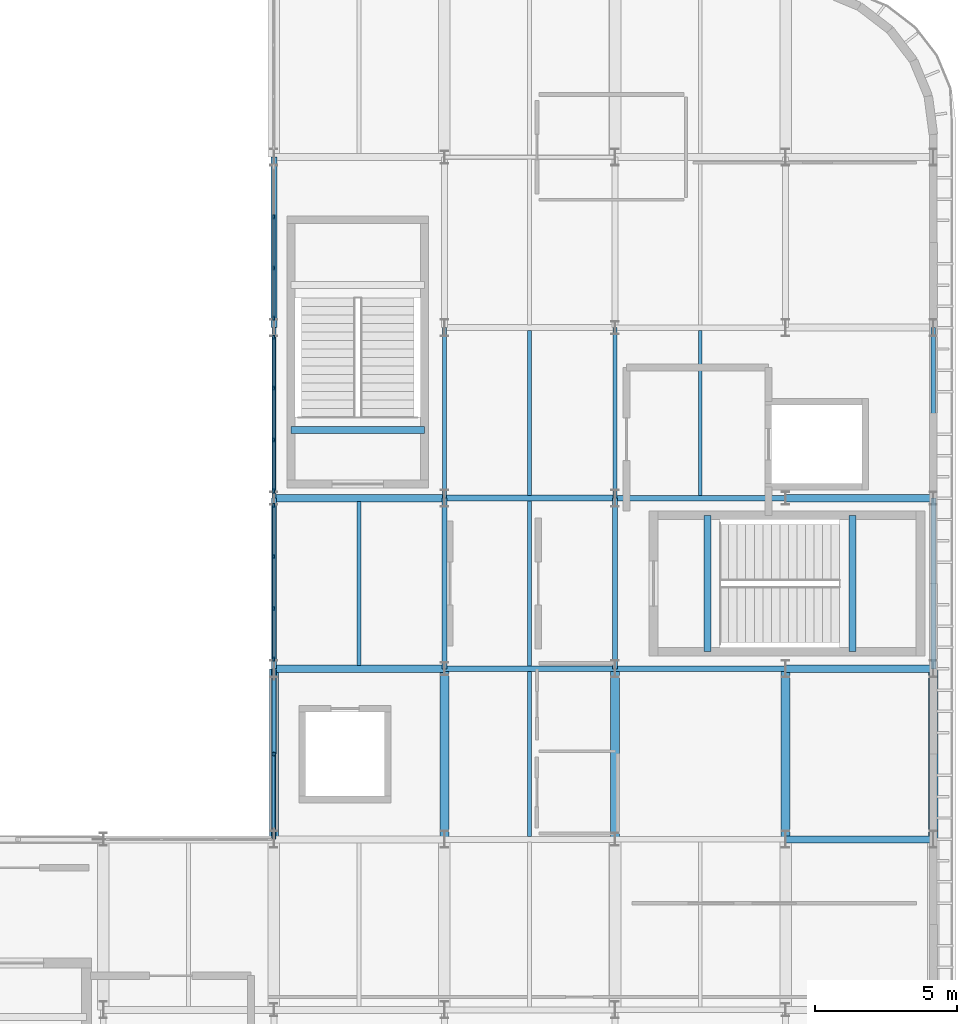
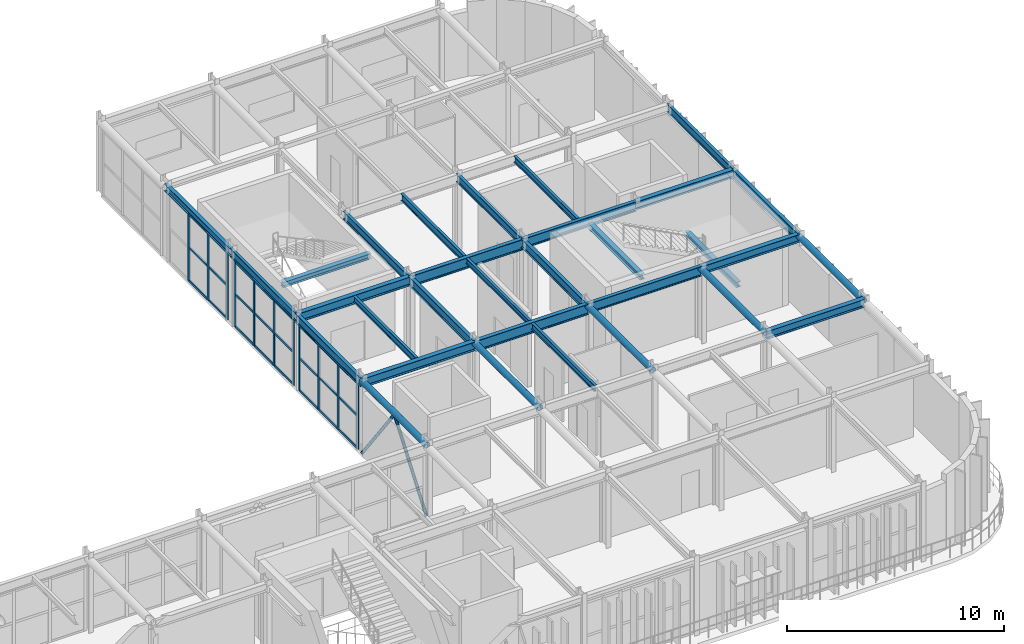
# One storey, part 52 of 96: 37 members, 31 beams, 3 elements without a shape of their own.
"""IFC4 building model written with IfcOpenShell, lengths in metres."""

from ifc_helpers import new_model, si_unit, direction, frame, origin, origin_2d, place, context, subcontext, project, spatial, rectangle, hollow_circle, i_section, extrude, material, material_profile, profile_set, type_object, element, aggregate, save


model = new_model("IFC4")

# Units and contexts
model_context = context("Model", 3, precision=1e-05, world=origin(), true_north=direction((0.0, 1.0)))
body_context = subcontext(model_context, "Body", "Model", "MODEL_VIEW")
ifc_project = project(units=[si_unit("LENGTHUNIT", "METRE"), si_unit("AREAUNIT", "SQUARE_METRE"), si_unit("VOLUMEUNIT", "CUBIC_METRE"), si_unit("PLANEANGLEUNIT", "RADIAN"), si_unit("MASSUNIT", "GRAM", prefix="KILO")], contexts=[model_context])

# Site, building, storey
site_placement = place(None, origin())
site = spatial("IfcSite", under=ifc_project, at=site_placement, CompositionType="ELEMENT")
building_placement = place(site_placement, origin())
building = spatial("IfcBuilding", under=site, at=building_placement, Name="Varnakota Square Police Headquarters", CompositionType="ELEMENT")
storey_placement = place(building_placement, frame((0.0, 0.0, 4.800048828125)))
storey = spatial("IfcBuildingStorey", under=building, at=storey_placement, Name="L01", CompositionType="ELEMENT", Elevation=4.800048828125)

# Beams
ifc_material_1 = material(Name="Steel IS 2062 Grade 350", Category="steel")
ifc_material_profile_1 = material_profile(ifc_material_1, hollow_circle(Radius=0.161865234375, WallThickness=0.0126953125, at=origin_2d()), Name="CHS 323.9x12.7")
ifc_profile_set_1 = profile_set([ifc_material_profile_1], Name="Steel IS 2062 Grade 350")
beam_type_1 = type_object("IfcBeamType", Name="BM-ARC-CHS324", PredefinedType="BEAM", material=ifc_profile_set_1)
for number, where, z_axis, x_axis, name in (
    (1, (138.0, 15.0, 4.0380859375), (0.0, 1.0, 0.0), (-1.0, 0.0, 0.0), "BMG-L01-1718"),
    (2, (144.0, 15.0, 4.0380859375), (0.0, 1.0, 0.0), (-1.0, 0.0, 0.0), "BMG-L01-1732"),
    (3, (150.0, 15.0, 4.0380859375), (0.0, 1.0, 0.0), (-1.0, 0.0, 0.0), "BMG-L01-1746"),
    (4, (156.0, 15.0, 4.0380859375), (0.0, 1.0, 0.0), (-1.0, 0.0, 0.0), "BMG-L01-1757"),
    (5, (161.199951171875, 15.0, 4.0380859375), (0.0, 1.0, 0.0), (-1.0, 0.0, 0.0), "BMG-L01-1768"),
):
    element("IfcBeam", number, at=place(storey_placement, frame(where, z_axis=z_axis, x_axis=x_axis)), inside=storey, type_object=beam_type_1, Name=name, PredefinedType="BEAM", context=body_context, shape_type="SweptSolid", body=[
        extrude(hollow_circle(Radius=0.161865234375, WallThickness=0.0126953125, at=origin_2d()), origin(), (0.0, 0.0, 1.0), 6.0),
    ])
ifc_material_profile_2 = material_profile(ifc_material_1, i_section(OverallWidth=0.25, OverallDepth=0.300048828125, WebThickness=0.009521484375, FlangeThickness=0.010498046875, FilletRadius=0.011962890625, at=origin_2d()), Name="ISHB 300")
ifc_profile_set_2 = profile_set([ifc_material_profile_2], Name="Steel IS 2062 Grade 350")
beam_type_2 = type_object("IfcBeamType", Name="BM-ISHB300", PredefinedType="BEAM", material=ifc_profile_set_2)
for number, where, z_axis, x_axis, name in (
    (6, (158.3505859375, 21.60009765625, 1.933837890625), (0.0, 1.0, 0.0), (-1.0, 0.0, 0.0), "Stair landing support beam BM-LND-0019"),
    (7, (153.25, 21.60009765625, 4.14990234375), (0.0, 1.0, 0.0), (-1.0, 0.0, 0.0), "Stair landing support beam BM-LND-0020"),
):
    element("IfcBeam", number, at=place(storey_placement, frame(where, z_axis=z_axis, x_axis=x_axis)), inside=storey, type_object=beam_type_2, Name=name, PredefinedType="BEAM", context=body_context, shape_type="SweptSolid", body=[
        extrude(i_section(OverallWidth=0.25, OverallDepth=0.300048828125, WebThickness=0.009521484375, FlangeThickness=0.010498046875, FilletRadius=0.011962890625, at=origin_2d()), origin(), (0.0, 0.0, 1.0), 4.7998046875),
    ])
beam_1_placement = place(storey_placement, frame((138.60009765625, 29.400146484375, 4.14990234375), z_axis=(1.0, 0.0, 0.0), x_axis=(0.0, 1.0, 0.0)))
element("IfcBeam", 8, at=beam_1_placement, inside=storey, type_object=beam_type_2, Name="Stair landing support beam BM-LND-0035", PredefinedType="BEAM", context=body_context, shape_type="SweptSolid", body=[
    extrude(i_section(OverallWidth=0.25, OverallDepth=0.300048828125, WebThickness=0.009521484375, FlangeThickness=0.010498046875, FilletRadius=0.011962890625, at=origin_2d()), origin(), (0.0, 0.0, 1.0), 4.699951171875),
])
ifc_material_profile_3 = material_profile(ifc_material_1, i_section(OverallWidth=0.25, OverallDepth=0.449951171875, WebThickness=0.01123046875, FlangeThickness=0.013671875, FilletRadius=0.014892578125, at=origin_2d()), Name="ISHB 450")
ifc_profile_set_3 = profile_set([ifc_material_profile_3], Name="Steel IS 2062 Grade 350")
beam_type_3 = type_object("IfcBeamType", Name="BM-ISHB450", PredefinedType="BEAM", material=ifc_profile_set_3)
for number, where, z_axis, x_axis, name in (
    (9, (156.0, 15.0, 3.974853515625), (1.0, 0.0, 0.0), (0.0, 1.0, 0.0), "BMG-L01-1354"),
    (10, (156.0, 21.0, 3.974853515625), (1.0, 0.0, 0.0), (0.0, 1.0, 0.0), "BMG-L01-1364"),
    (11, (156.0, 27.0, 3.974853515625), (1.0, 0.0, 0.0), (0.0, 1.0, 0.0), "BMG-L01-1374"),
):
    element("IfcBeam", number, at=place(storey_placement, frame(where, z_axis=z_axis, x_axis=x_axis)), inside=storey, type_object=beam_type_3, Name=name, PredefinedType="BEAM", context=body_context, shape_type="SweptSolid", body=[
        extrude(i_section(OverallWidth=0.25, OverallDepth=0.449951171875, WebThickness=0.01123046875, FlangeThickness=0.013671875, FilletRadius=0.014892578125, at=origin_2d()), origin(), (0.0, 0.0, 1.0), 5.199951171875),
    ])
ifc_material_profile_4 = material_profile(ifc_material_1, i_section(OverallWidth=0.139892578125, OverallDepth=0.300048828125, WebThickness=0.0078125, FlangeThickness=0.01318359375, FilletRadius=0.013916015625, at=origin_2d()), Name="ISMB 300")
ifc_profile_set_4 = profile_set([ifc_material_profile_4], Name="Steel IS 2062 Grade 350")
beam_type_4 = type_object("IfcBeamType", Name="BM-ISMB300", PredefinedType="JOIST", material=ifc_profile_set_4)
beam_2_placement = place(storey_placement, frame((147.0, 21.10302734375, 4.050048828125), z_axis=(0.0, 1.0, 0.0), x_axis=(-1.0, 0.0, 0.0)))
element("IfcBeam", 12, at=beam_2_placement, inside=storey, type_object=beam_type_4, Name="BMG-L01-1880", PredefinedType="JOIST", context=body_context, shape_type="SweptSolid", body=[
    extrude(i_section(OverallWidth=0.139892578125, OverallDepth=0.300048828125, WebThickness=0.0078125, FlangeThickness=0.01318359375, FilletRadius=0.013916015625, at=origin_2d()), origin(), (0.0, 0.0, 1.0), 5.7939453125),
])
ifc_material_profile_5 = material_profile(ifc_material_1, i_section(OverallWidth=0.139892578125, OverallDepth=0.35009765625, WebThickness=0.008056640625, FlangeThickness=0.01416015625, FilletRadius=0.013916015625, at=origin_2d()), Name="ISMB 350")
ifc_profile_set_5 = profile_set([ifc_material_profile_5], Name="Steel IS 2062 Grade 350")
beam_type_5 = type_object("IfcBeamType", Name="BM-ISMB350", PredefinedType="JOIST", material=ifc_profile_set_5)
beam_3_placement = place(storey_placement, frame((141.0, 21.123046875, 4.02490234375), z_axis=(0.0, 1.0, 0.0), x_axis=(-1.0, 0.0, 0.0)))
element("IfcBeam", 13, at=beam_3_placement, inside=storey, type_object=beam_type_5, Name="BMG-L01-1870", PredefinedType="JOIST", context=body_context, shape_type="SweptSolid", body=[
    extrude(i_section(OverallWidth=0.139892578125, OverallDepth=0.35009765625, WebThickness=0.008056640625, FlangeThickness=0.01416015625, FilletRadius=0.013916015625, at=origin_2d()), origin(), (0.0, 0.0, 1.0), 5.75390625),
])
beam_4_placement = place(storey_placement, frame((147.0, 15.10302734375, 4.02490234375), z_axis=(0.0, 1.0, 0.0), x_axis=(-1.0, 0.0, 0.0)))
element("IfcBeam", 14, at=beam_4_placement, inside=storey, type_object=beam_type_5, Name="BMG-L01-1879", PredefinedType="JOIST", context=body_context, shape_type="SweptSolid", body=[
    extrude(i_section(OverallWidth=0.139892578125, OverallDepth=0.35009765625, WebThickness=0.008056640625, FlangeThickness=0.01416015625, FilletRadius=0.013916015625, at=origin_2d()), origin(), (0.0, 0.0, 1.0), 5.7939453125),
])
beam_5_placement = place(storey_placement, frame((153.0, 27.093017578125, 4.02490234375), z_axis=(0.0, 1.0, 0.0), x_axis=(-1.0, 0.0, 0.0)))
element("IfcBeam", 15, at=beam_5_placement, inside=storey, type_object=beam_type_5, Name="BMG-L01-1889", PredefinedType="JOIST", context=body_context, shape_type="SweptSolid", body=[
    extrude(i_section(OverallWidth=0.139892578125, OverallDepth=0.35009765625, WebThickness=0.008056640625, FlangeThickness=0.01416015625, FilletRadius=0.013916015625, at=origin_2d()), origin(), (0.0, 0.0, 1.0), 5.81396484375),
])
ifc_material_profile_6 = material_profile(ifc_material_1, i_section(OverallWidth=0.139892578125, OverallDepth=0.39990234375, WebThickness=0.0087890625, FlangeThickness=0.01611328125, FilletRadius=0.013916015625, at=origin_2d()), Name="ISMB 400")
ifc_profile_set_6 = profile_set([ifc_material_profile_6], Name="Steel IS 2062 Grade 350")
beam_type_6 = type_object("IfcBeamType", Name="BM-ISMB400", PredefinedType="JOIST", material=ifc_profile_set_6)
beam_6_placement = place(storey_placement, frame((147.0, 27.10302734375, 4.0), z_axis=(0.0, 1.0, 0.0), x_axis=(-1.0, 0.0, 0.0)))
element("IfcBeam", 16, at=beam_6_placement, inside=storey, type_object=beam_type_6, Name="BMG-L01-1881", PredefinedType="JOIST", context=body_context, shape_type="SweptSolid", body=[
    extrude(i_section(OverallWidth=0.139892578125, OverallDepth=0.39990234375, WebThickness=0.0087890625, FlangeThickness=0.01611328125, FilletRadius=0.013916015625, at=origin_2d()), origin(), (0.0, 0.0, 1.0), 5.7939453125),
])
ifc_material_profile_7 = material_profile(ifc_material_1, i_section(OverallWidth=0.14990234375, OverallDepth=0.449951171875, WebThickness=0.009521484375, FlangeThickness=0.017333984375, FilletRadius=0.014892578125, at=origin_2d()), Name="ISMB 450")
ifc_profile_set_7 = profile_set([ifc_material_profile_7], Name="Steel IS 2062 Grade 350")
beam_type_7 = type_object("IfcBeamType", Name="BM-ISMB450", PredefinedType="BEAM", material=ifc_profile_set_7)
for number, where, z_axis, x_axis, name in (
    (17, (138.0, 27.0, 3.974853515625), (0.0, 1.0, 0.0), (-1.0, 0.0, 0.0), "BMG-L01-1720"),
    (18, (144.0, 27.0, 3.974853515625), (0.0, 1.0, 0.0), (-1.0, 0.0, 0.0), "BMG-L01-1734"),
    (19, (150.0, 27.0, 3.974853515625), (0.0, 1.0, 0.0), (-1.0, 0.0, 0.0), "BMG-L01-1748"),
    (20, (161.199951171875, 27.0, 3.974853515625), (0.0, 1.0, 0.0), (-1.0, 0.0, 0.0), "BMG-L01-1770"),
):
    element("IfcBeam", number, at=place(storey_placement, frame(where, z_axis=z_axis, x_axis=x_axis)), inside=storey, type_object=beam_type_7, Name=name, PredefinedType="BEAM", context=body_context, shape_type="SweptSolid", body=[
        extrude(i_section(OverallWidth=0.14990234375, OverallDepth=0.449951171875, WebThickness=0.009521484375, FlangeThickness=0.017333984375, FilletRadius=0.014892578125, at=origin_2d()), origin(), (0.0, 0.0, 1.0), 6.0),
    ])
ifc_material_profile_8 = material_profile(ifc_material_1, i_section(OverallWidth=0.179931640625, OverallDepth=0.5, WebThickness=0.01025390625, FlangeThickness=0.01708984375, FilletRadius=0.01708984375, at=origin_2d()), Name="ISMB 500")
ifc_profile_set_8 = profile_set([ifc_material_profile_8], Name="Steel IS 2062 Grade 350")
beam_type_8 = type_object("IfcBeamType", Name="BM-ISMB500", PredefinedType="BEAM", material=ifc_profile_set_8)
for number, where, z_axis, x_axis, name in (
    (21, (138.0, 21.0, 3.949951171875), (0.0, 1.0, 0.0), (-1.0, 0.0, 0.0), "BMG-L01-1719"),
    (22, (144.0, 21.0, 3.949951171875), (0.0, 1.0, 0.0), (-1.0, 0.0, 0.0), "BMG-L01-1733"),
    (23, (150.0, 21.0, 3.949951171875), (0.0, 1.0, 0.0), (-1.0, 0.0, 0.0), "BMG-L01-1747"),
    (24, (161.199951171875, 21.0, 3.949951171875), (0.0, 1.0, 0.0), (-1.0, 0.0, 0.0), "BMG-L01-1769"),
):
    element("IfcBeam", number, at=place(storey_placement, frame(where, z_axis=z_axis, x_axis=x_axis)), inside=storey, type_object=beam_type_8, Name=name, PredefinedType="BEAM", context=body_context, shape_type="SweptSolid", body=[
        extrude(i_section(OverallWidth=0.179931640625, OverallDepth=0.5, WebThickness=0.01025390625, FlangeThickness=0.01708984375, FilletRadius=0.01708984375, at=origin_2d()), origin(), (0.0, 0.0, 1.0), 6.0),
    ])
ifc_material_profile_9 = material_profile(ifc_material_1, i_section(OverallWidth=0.18994140625, OverallDepth=0.550048828125, WebThickness=0.01123046875, FlangeThickness=0.019287109375, FilletRadius=0.01806640625, at=origin_2d()), Name="ISMB 550")
ifc_profile_set_9 = profile_set([ifc_material_profile_9], Name="Steel IS 2062 Grade 350")
beam_type_9 = type_object("IfcBeamType", Name="BM-ISMB550", PredefinedType="BEAM", material=ifc_profile_set_9)
for number, where, z_axis, x_axis, name in (
    (25, (150.0, 21.0, 3.925048828125), (1.0, 0.0, 0.0), (0.0, 1.0, 0.0), "BMG-L01-1363"),
    (26, (150.0, 27.0, 3.925048828125), (1.0, 0.0, 0.0), (0.0, 1.0, 0.0), "BMG-L01-1373"),
):
    element("IfcBeam", number, at=place(storey_placement, frame(where, z_axis=z_axis, x_axis=x_axis)), inside=storey, type_object=beam_type_9, Name=name, PredefinedType="BEAM", context=body_context, shape_type="SweptSolid", body=[
        extrude(i_section(OverallWidth=0.18994140625, OverallDepth=0.550048828125, WebThickness=0.01123046875, FlangeThickness=0.019287109375, FilletRadius=0.01806640625, at=origin_2d()), origin(), (0.0, 0.0, 1.0), 6.0),
    ])
ifc_material_profile_10 = material_profile(ifc_material_1, i_section(OverallWidth=0.2099609375, OverallDepth=0.60009765625, WebThickness=0.011962890625, FlangeThickness=0.020751953125, FilletRadius=0.02001953125, at=origin_2d()), Name="ISMB 600")
ifc_profile_set_10 = profile_set([ifc_material_profile_10], Name="Steel IS 2062 Grade 350")
beam_type_10 = type_object("IfcBeamType", Name="BM-ISMB600", PredefinedType="BEAM", material=ifc_profile_set_10)
for number, where, z_axis, x_axis, name in (
    (27, (144.0, 21.0, 3.89990234375), (1.0, 0.0, 0.0), (0.0, 1.0, 0.0), "BMG-L01-1362"),
    (28, (144.0, 27.0, 3.89990234375), (1.0, 0.0, 0.0), (0.0, 1.0, 0.0), "BMG-L01-1372"),
):
    element("IfcBeam", number, at=place(storey_placement, frame(where, z_axis=z_axis, x_axis=x_axis)), inside=storey, type_object=beam_type_10, Name=name, PredefinedType="BEAM", context=body_context, shape_type="SweptSolid", body=[
        extrude(i_section(OverallWidth=0.2099609375, OverallDepth=0.60009765625, WebThickness=0.011962890625, FlangeThickness=0.020751953125, FilletRadius=0.02001953125, at=origin_2d()), origin(), (0.0, 0.0, 1.0), 6.0),
    ])
ifc_material_profile_11 = material_profile(ifc_material_1, i_section(OverallWidth=0.199951171875, OverallDepth=0.39990234375, WebThickness=0.008544921875, FlangeThickness=0.012939453125, FilletRadius=0.012939453125, at=origin_2d()), Name="ISWB 400")
ifc_profile_set_11 = profile_set([ifc_material_profile_11], Name="Steel IS 2062 Grade 350")
beam_type_11 = type_object("IfcBeamType", Name="BM-ISWB400", PredefinedType="BEAM", material=ifc_profile_set_11)
beam_7_placement = place(storey_placement, frame((138.0, 33.0, 4.0), z_axis=(0.0, 1.0, 0.0), x_axis=(-1.0, 0.0, 0.0)))
element("IfcBeam", 29, at=beam_7_placement, inside=storey, type_object=beam_type_11, Name="BMG-L01-1721", PredefinedType="BEAM", context=body_context, shape_type="SweptSolid", body=[
    extrude(i_section(OverallWidth=0.199951171875, OverallDepth=0.39990234375, WebThickness=0.008544921875, FlangeThickness=0.012939453125, FilletRadius=0.012939453125, at=origin_2d()), origin(), (0.0, 0.0, 1.0), 6.0),
])
ifc_material_profile_12 = material_profile(ifc_material_1, i_section(OverallWidth=0.25, OverallDepth=0.5, WebThickness=0.010009765625, FlangeThickness=0.0146484375, FilletRadius=0.014892578125, at=origin_2d()), Name="ISWB 500")
ifc_profile_set_12 = profile_set([ifc_material_profile_12], Name="Steel IS 2062 Grade 350")
beam_type_12 = type_object("IfcBeamType", Name="BM-ISWB500", PredefinedType="BEAM", material=ifc_profile_set_12)
for number, where, z_axis, x_axis, name in (
    (30, (138.0, 21.0, 3.949951171875), (1.0, 0.0, 0.0), (0.0, 1.0, 0.0), "BMG-L01-1361"),
    (31, (138.0, 27.0, 3.949951171875), (1.0, 0.0, 0.0), (0.0, 1.0, 0.0), "BMG-L01-1371"),
):
    element("IfcBeam", number, at=place(storey_placement, frame(where, z_axis=z_axis, x_axis=x_axis)), inside=storey, type_object=beam_type_12, Name=name, PredefinedType="BEAM", context=body_context, shape_type="SweptSolid", body=[
        extrude(i_section(OverallWidth=0.25, OverallDepth=0.5, WebThickness=0.010009765625, FlangeThickness=0.0146484375, FilletRadius=0.014892578125, at=origin_2d()), origin(), (0.0, 0.0, 1.0), 6.0),
    ])

# Curtain wall, members
ifc_material_2 = material(Name="Anodised Aluminium Framing", Category="aluminium")
curtain_wall_type = type_object("IfcCurtainWallType", Name="CW-SYS-E", PredefinedType="NOTDEFINED", material=ifc_material_2)
curtain_wall_1_placement = place(storey_placement, origin())
curtain_wall_1 = element("IfcCurtainWall", 32, at=curtain_wall_1_placement, inside=storey, type_object=curtain_wall_type, Name="Unitised curtain wall CWG-L01-062", PredefinedType="NOTDEFINED")
ifc_material_3 = material(Name="Anodised Aluminium 6063-T6", Category="aluminium")
ifc_material_profile_13 = material_profile(ifc_material_3, rectangle(XDim=0.06494140625, YDim=0.159912109375, at=origin_2d()), Name="ALU MULLION 65x160")
ifc_profile_set_13 = profile_set([ifc_material_profile_13], Name="Anodised Aluminium 6063-T6")
member_type_1 = type_object("IfcMemberType", Name="CWM-150", PredefinedType="MULLION", material=ifc_profile_set_13)
member_1_placement = place(storey_placement, frame((138.0, 21.33740234375, 0.0), z_axis=(0.0, 0.0, 1.0), x_axis=(-1.0, 0.0, 0.0)))
member_1 = element("IfcMember", 33, at=member_1_placement, type_object=member_type_1, Name="CWG-L01-062 mullion 1", PredefinedType="MULLION", context=body_context, shape_type="SweptSolid", body=[
    extrude(rectangle(XDim=0.06494140625, YDim=0.159912109375, at=origin_2d()), origin(), (0.0, 0.0, 1.0), 3.68994140625),
])
member_2_placement = place(storey_placement, frame((138.0, 23.126708984375, 0.0), z_axis=(0.0, 0.0, 1.0), x_axis=(-1.0, 0.0, 0.0)))
member_2 = element("IfcMember", 34, at=member_2_placement, type_object=member_type_1, Name="CWG-L01-062 mullion 2", PredefinedType="MULLION", context=body_context, shape_type="SweptSolid", body=[
    extrude(rectangle(XDim=0.06494140625, YDim=0.159912109375, at=origin_2d()), origin(), (0.0, 0.0, 1.0), 3.68994140625),
])
member_3_placement = place(storey_placement, frame((138.0, 24.9482421875, 0.0), z_axis=(0.0, 0.0, 1.0), x_axis=(-1.0, 0.0, 0.0)))
member_3 = element("IfcMember", 35, at=member_3_placement, type_object=member_type_1, Name="CWG-L01-062 mullion 3", PredefinedType="MULLION", context=body_context, shape_type="SweptSolid", body=[
    extrude(rectangle(XDim=0.06494140625, YDim=0.159912109375, at=origin_2d()), origin(), (0.0, 0.0, 1.0), 3.68994140625),
])
member_4_placement = place(storey_placement, frame((138.0, 26.737548828125, 0.0), z_axis=(0.0, 0.0, 1.0), x_axis=(-1.0, 0.0, 0.0)))
member_4 = element("IfcMember", 36, at=member_4_placement, type_object=member_type_1, Name="CWG-L01-062 mullion 4", PredefinedType="MULLION", context=body_context, shape_type="SweptSolid", body=[
    extrude(rectangle(XDim=0.06494140625, YDim=0.159912109375, at=origin_2d()), origin(), (0.0, 0.0, 1.0), 3.68994140625),
])

curtain_wall_2_placement = place(storey_placement, origin())
curtain_wall_2 = element("IfcCurtainWall", 37, at=curtain_wall_2_placement, inside=storey, type_object=curtain_wall_type, Name="Unitised curtain wall CWG-L01-063", PredefinedType="NOTDEFINED")
member_5_placement = place(storey_placement, frame((138.0, 27.262451171875, 0.0), z_axis=(0.0, 0.0, 1.0), x_axis=(-1.0, 0.0, 0.0)))
member_5 = element("IfcMember", 38, at=member_5_placement, type_object=member_type_1, Name="CWG-L01-063 mullion 1", PredefinedType="MULLION", context=body_context, shape_type="SweptSolid", body=[
    extrude(rectangle(XDim=0.06494140625, YDim=0.159912109375, at=origin_2d()), origin(), (0.0, 0.0, 1.0), 3.68994140625),
])
member_6_placement = place(storey_placement, frame((138.0, 29.0517578125, 0.0), z_axis=(0.0, 0.0, 1.0), x_axis=(-1.0, 0.0, 0.0)))
member_6 = element("IfcMember", 39, at=member_6_placement, type_object=member_type_1, Name="CWG-L01-063 mullion 2", PredefinedType="MULLION", context=body_context, shape_type="SweptSolid", body=[
    extrude(rectangle(XDim=0.06494140625, YDim=0.159912109375, at=origin_2d()), origin(), (0.0, 0.0, 1.0), 3.68994140625),
])
member_7_placement = place(storey_placement, frame((138.0, 30.873291015625, 0.0), z_axis=(0.0, 0.0, 1.0), x_axis=(-1.0, 0.0, 0.0)))
member_7 = element("IfcMember", 40, at=member_7_placement, type_object=member_type_1, Name="CWG-L01-063 mullion 3", PredefinedType="MULLION", context=body_context, shape_type="SweptSolid", body=[
    extrude(rectangle(XDim=0.06494140625, YDim=0.159912109375, at=origin_2d()), origin(), (0.0, 0.0, 1.0), 3.68994140625),
])
member_8_placement = place(storey_placement, frame((138.0, 32.66259765625, 0.0), z_axis=(0.0, 0.0, 1.0), x_axis=(-1.0, 0.0, 0.0)))
member_8 = element("IfcMember", 41, at=member_8_placement, type_object=member_type_1, Name="CWG-L01-063 mullion 4", PredefinedType="MULLION", context=body_context, shape_type="SweptSolid", body=[
    extrude(rectangle(XDim=0.06494140625, YDim=0.159912109375, at=origin_2d()), origin(), (0.0, 0.0, 1.0), 3.68994140625),
])

curtain_wall_3_placement = place(storey_placement, origin())
curtain_wall_3 = element("IfcCurtainWall", 42, at=curtain_wall_3_placement, inside=storey, type_object=curtain_wall_type, Name="Unitised curtain wall CWG-L01-064", PredefinedType="NOTDEFINED")
member_9_placement = place(storey_placement, frame((138.0, 33.33740234375, 0.0), z_axis=(0.0, 0.0, 1.0), x_axis=(-1.0, 0.0, 0.0)))
member_9 = element("IfcMember", 43, at=member_9_placement, type_object=member_type_1, Name="CWG-L01-064 mullion 1", PredefinedType="MULLION", context=body_context, shape_type="SweptSolid", body=[
    extrude(rectangle(XDim=0.06494140625, YDim=0.159912109375, at=origin_2d()), origin(), (0.0, 0.0, 1.0), 3.783447265625),
])
member_10_placement = place(storey_placement, frame((138.0, 35.1015625, 0.0), z_axis=(0.0, 0.0, 1.0), x_axis=(-1.0, 0.0, 0.0)))
member_10 = element("IfcMember", 44, at=member_10_placement, type_object=member_type_1, Name="CWG-L01-064 mullion 2", PredefinedType="MULLION", context=body_context, shape_type="SweptSolid", body=[
    extrude(rectangle(XDim=0.06494140625, YDim=0.159912109375, at=origin_2d()), origin(), (0.0, 0.0, 1.0), 3.783447265625),
])
member_11_placement = place(storey_placement, frame((138.0, 36.8984375, 0.0), z_axis=(0.0, 0.0, 1.0), x_axis=(-1.0, 0.0, 0.0)))
member_11 = element("IfcMember", 45, at=member_11_placement, type_object=member_type_1, Name="CWG-L01-064 mullion 3", PredefinedType="MULLION", context=body_context, shape_type="SweptSolid", body=[
    extrude(rectangle(XDim=0.06494140625, YDim=0.159912109375, at=origin_2d()), origin(), (0.0, 0.0, 1.0), 3.783447265625),
])

# Member
ifc_material_profile_14 = material_profile(ifc_material_3, rectangle(XDim=0.06494140625, YDim=0.1298828125, at=origin_2d()), Name="ALU TRANSOM 65x130")
ifc_profile_set_14 = profile_set([ifc_material_profile_14], Name="Anodised Aluminium 6063-T6")
member_type_2 = type_object("IfcMemberType", Name="CWT-120", PredefinedType="USERDEFINED", material=ifc_profile_set_14)
member_12_placement = place(storey_placement, frame((138.0, 21.3701171875, 0.032470703125), z_axis=(0.0, 1.0, 0.0), x_axis=(-1.0, 0.0, 0.0)))
member_12 = element("IfcMember", 46, at=member_12_placement, type_object=member_type_2, Name="CWG-L01-062 transom 1.1", ObjectType="TRANSOM", PredefinedType="USERDEFINED", context=body_context, shape_type="SweptSolid", body=[
    extrude(rectangle(XDim=0.06494140625, YDim=0.1298828125, at=origin_2d()), origin(), (0.0, 0.0, 1.0), 1.72412109375),
])

member_13_placement = place(storey_placement, frame((138.0, 21.3701171875, 1.844970703125), z_axis=(0.0, 1.0, 0.0), x_axis=(-1.0, 0.0, 0.0)))
member_13 = element("IfcMember", 47, at=member_13_placement, type_object=member_type_2, Name="CWG-L01-062 transom 1.2", ObjectType="TRANSOM", PredefinedType="USERDEFINED", context=body_context, shape_type="SweptSolid", body=[
    extrude(rectangle(XDim=0.06494140625, YDim=0.1298828125, at=origin_2d()), origin(), (0.0, 0.0, 1.0), 1.72412109375),
])

member_14_placement = place(storey_placement, frame((138.0, 21.3701171875, 3.657470703125), z_axis=(0.0, 1.0, 0.0), x_axis=(-1.0, 0.0, 0.0)))
member_14 = element("IfcMember", 48, at=member_14_placement, type_object=member_type_2, Name="CWG-L01-062 transom 1.3", ObjectType="TRANSOM", PredefinedType="USERDEFINED", context=body_context, shape_type="SweptSolid", body=[
    extrude(rectangle(XDim=0.06494140625, YDim=0.1298828125, at=origin_2d()), origin(), (0.0, 0.0, 1.0), 1.72412109375),
])

member_15_placement = place(storey_placement, frame((138.0, 23.1591796875, 0.032470703125), z_axis=(0.0, 1.0, 0.0), x_axis=(-1.0, 0.0, 0.0)))
member_15 = element("IfcMember", 49, at=member_15_placement, type_object=member_type_2, Name="CWG-L01-062 transom 2.1", ObjectType="TRANSOM", PredefinedType="USERDEFINED", context=body_context, shape_type="SweptSolid", body=[
    extrude(rectangle(XDim=0.06494140625, YDim=0.1298828125, at=origin_2d()), origin(), (0.0, 0.0, 1.0), 1.756591796875),
])

member_16_placement = place(storey_placement, frame((138.0, 23.1591796875, 1.844970703125), z_axis=(0.0, 1.0, 0.0), x_axis=(-1.0, 0.0, 0.0)))
member_16 = element("IfcMember", 50, at=member_16_placement, type_object=member_type_2, Name="CWG-L01-062 transom 2.2", ObjectType="TRANSOM", PredefinedType="USERDEFINED", context=body_context, shape_type="SweptSolid", body=[
    extrude(rectangle(XDim=0.06494140625, YDim=0.1298828125, at=origin_2d()), origin(), (0.0, 0.0, 1.0), 1.756591796875),
])

member_17_placement = place(storey_placement, frame((138.0, 23.1591796875, 3.657470703125), z_axis=(0.0, 1.0, 0.0), x_axis=(-1.0, 0.0, 0.0)))
member_17 = element("IfcMember", 51, at=member_17_placement, type_object=member_type_2, Name="CWG-L01-062 transom 2.3", ObjectType="TRANSOM", PredefinedType="USERDEFINED", context=body_context, shape_type="SweptSolid", body=[
    extrude(rectangle(XDim=0.06494140625, YDim=0.1298828125, at=origin_2d()), origin(), (0.0, 0.0, 1.0), 1.756591796875),
])

member_18_placement = place(storey_placement, frame((138.0, 24.980712890625, 0.032470703125), z_axis=(0.0, 1.0, 0.0), x_axis=(-1.0, 0.0, 0.0)))
member_18 = element("IfcMember", 52, at=member_18_placement, type_object=member_type_2, Name="CWG-L01-062 transom 3.1", ObjectType="TRANSOM", PredefinedType="USERDEFINED", context=body_context, shape_type="SweptSolid", body=[
    extrude(rectangle(XDim=0.06494140625, YDim=0.1298828125, at=origin_2d()), origin(), (0.0, 0.0, 1.0), 1.724365234375),
])

member_19_placement = place(storey_placement, frame((138.0, 24.980712890625, 1.844970703125), z_axis=(0.0, 1.0, 0.0), x_axis=(-1.0, 0.0, 0.0)))
member_19 = element("IfcMember", 53, at=member_19_placement, type_object=member_type_2, Name="CWG-L01-062 transom 3.2", ObjectType="TRANSOM", PredefinedType="USERDEFINED", context=body_context, shape_type="SweptSolid", body=[
    extrude(rectangle(XDim=0.06494140625, YDim=0.1298828125, at=origin_2d()), origin(), (0.0, 0.0, 1.0), 1.724365234375),
])

member_20_placement = place(storey_placement, frame((138.0, 24.980712890625, 3.657470703125), z_axis=(0.0, 1.0, 0.0), x_axis=(-1.0, 0.0, 0.0)))
member_20 = element("IfcMember", 54, at=member_20_placement, type_object=member_type_2, Name="CWG-L01-062 transom 3.3", ObjectType="TRANSOM", PredefinedType="USERDEFINED", context=body_context, shape_type="SweptSolid", body=[
    extrude(rectangle(XDim=0.06494140625, YDim=0.1298828125, at=origin_2d()), origin(), (0.0, 0.0, 1.0), 1.724365234375),
])

aggregate(curtain_wall_1, [member_1, member_2, member_3, member_4, member_12, member_13, member_14, member_15, member_16, member_17, member_18, member_19, member_20])

member_21_placement = place(storey_placement, frame((138.0, 27.294921875, 0.032470703125), z_axis=(0.0, 1.0, 0.0), x_axis=(-1.0, 0.0, 0.0)))
member_21 = element("IfcMember", 55, at=member_21_placement, type_object=member_type_2, Name="CWG-L01-063 transom 1.1", ObjectType="TRANSOM", PredefinedType="USERDEFINED", context=body_context, shape_type="SweptSolid", body=[
    extrude(rectangle(XDim=0.06494140625, YDim=0.1298828125, at=origin_2d()), origin(), (0.0, 0.0, 1.0), 1.724365234375),
])

member_22_placement = place(storey_placement, frame((138.0, 27.294921875, 1.844970703125), z_axis=(0.0, 1.0, 0.0), x_axis=(-1.0, 0.0, 0.0)))
member_22 = element("IfcMember", 56, at=member_22_placement, type_object=member_type_2, Name="CWG-L01-063 transom 1.2", ObjectType="TRANSOM", PredefinedType="USERDEFINED", context=body_context, shape_type="SweptSolid", body=[
    extrude(rectangle(XDim=0.06494140625, YDim=0.1298828125, at=origin_2d()), origin(), (0.0, 0.0, 1.0), 1.724365234375),
])

member_23_placement = place(storey_placement, frame((138.0, 27.294921875, 3.657470703125), z_axis=(0.0, 1.0, 0.0), x_axis=(-1.0, 0.0, 0.0)))
member_23 = element("IfcMember", 57, at=member_23_placement, type_object=member_type_2, Name="CWG-L01-063 transom 1.3", ObjectType="TRANSOM", PredefinedType="USERDEFINED", context=body_context, shape_type="SweptSolid", body=[
    extrude(rectangle(XDim=0.06494140625, YDim=0.1298828125, at=origin_2d()), origin(), (0.0, 0.0, 1.0), 1.724365234375),
])

member_24_placement = place(storey_placement, frame((138.0, 29.084228515625, 0.032470703125), z_axis=(0.0, 1.0, 0.0), x_axis=(-1.0, 0.0, 0.0)))
member_24 = element("IfcMember", 58, at=member_24_placement, type_object=member_type_2, Name="CWG-L01-063 transom 2.1", ObjectType="TRANSOM", PredefinedType="USERDEFINED", context=body_context, shape_type="SweptSolid", body=[
    extrude(rectangle(XDim=0.06494140625, YDim=0.1298828125, at=origin_2d()), origin(), (0.0, 0.0, 1.0), 1.756591796875),
])

member_25_placement = place(storey_placement, frame((138.0, 29.084228515625, 1.844970703125), z_axis=(0.0, 1.0, 0.0), x_axis=(-1.0, 0.0, 0.0)))
member_25 = element("IfcMember", 59, at=member_25_placement, type_object=member_type_2, Name="CWG-L01-063 transom 2.2", ObjectType="TRANSOM", PredefinedType="USERDEFINED", context=body_context, shape_type="SweptSolid", body=[
    extrude(rectangle(XDim=0.06494140625, YDim=0.1298828125, at=origin_2d()), origin(), (0.0, 0.0, 1.0), 1.756591796875),
])

member_26_placement = place(storey_placement, frame((138.0, 29.084228515625, 3.657470703125), z_axis=(0.0, 1.0, 0.0), x_axis=(-1.0, 0.0, 0.0)))
member_26 = element("IfcMember", 60, at=member_26_placement, type_object=member_type_2, Name="CWG-L01-063 transom 2.3", ObjectType="TRANSOM", PredefinedType="USERDEFINED", context=body_context, shape_type="SweptSolid", body=[
    extrude(rectangle(XDim=0.06494140625, YDim=0.1298828125, at=origin_2d()), origin(), (0.0, 0.0, 1.0), 1.756591796875),
])

member_27_placement = place(storey_placement, frame((138.0, 30.90576171875, 0.032470703125), z_axis=(0.0, 1.0, 0.0), x_axis=(-1.0, 0.0, 0.0)))
member_27 = element("IfcMember", 61, at=member_27_placement, type_object=member_type_2, Name="CWG-L01-063 transom 3.1", ObjectType="TRANSOM", PredefinedType="USERDEFINED", context=body_context, shape_type="SweptSolid", body=[
    extrude(rectangle(XDim=0.06494140625, YDim=0.1298828125, at=origin_2d()), origin(), (0.0, 0.0, 1.0), 1.72412109375),
])

member_28_placement = place(storey_placement, frame((138.0, 30.90576171875, 1.844970703125), z_axis=(0.0, 1.0, 0.0), x_axis=(-1.0, 0.0, 0.0)))
member_28 = element("IfcMember", 62, at=member_28_placement, type_object=member_type_2, Name="CWG-L01-063 transom 3.2", ObjectType="TRANSOM", PredefinedType="USERDEFINED", context=body_context, shape_type="SweptSolid", body=[
    extrude(rectangle(XDim=0.06494140625, YDim=0.1298828125, at=origin_2d()), origin(), (0.0, 0.0, 1.0), 1.72412109375),
])

member_29_placement = place(storey_placement, frame((138.0, 30.90576171875, 3.657470703125), z_axis=(0.0, 1.0, 0.0), x_axis=(-1.0, 0.0, 0.0)))
member_29 = element("IfcMember", 63, at=member_29_placement, type_object=member_type_2, Name="CWG-L01-063 transom 3.3", ObjectType="TRANSOM", PredefinedType="USERDEFINED", context=body_context, shape_type="SweptSolid", body=[
    extrude(rectangle(XDim=0.06494140625, YDim=0.1298828125, at=origin_2d()), origin(), (0.0, 0.0, 1.0), 1.72412109375),
])

aggregate(curtain_wall_2, [member_5, member_6, member_7, member_8, member_21, member_22, member_23, member_24, member_25, member_26, member_27, member_28, member_29])

member_30_placement = place(storey_placement, frame((138.0, 33.3701171875, 0.032470703125), z_axis=(0.0, 1.0, 0.0), x_axis=(-1.0, 0.0, 0.0)))
member_30 = element("IfcMember", 64, at=member_30_placement, type_object=member_type_2, Name="CWG-L01-064 transom 1.1", ObjectType="TRANSOM", PredefinedType="USERDEFINED", context=body_context, shape_type="SweptSolid", body=[
    extrude(rectangle(XDim=0.06494140625, YDim=0.1298828125, at=origin_2d()), origin(), (0.0, 0.0, 1.0), 1.698974609375),
])

member_31_placement = place(storey_placement, frame((138.0, 33.3701171875, 1.891845703125), z_axis=(0.0, 1.0, 0.0), x_axis=(-1.0, 0.0, 0.0)))
member_31 = element("IfcMember", 65, at=member_31_placement, type_object=member_type_2, Name="CWG-L01-064 transom 1.2", ObjectType="TRANSOM", PredefinedType="USERDEFINED", context=body_context, shape_type="SweptSolid", body=[
    extrude(rectangle(XDim=0.06494140625, YDim=0.1298828125, at=origin_2d()), origin(), (0.0, 0.0, 1.0), 1.698974609375),
])

member_32_placement = place(storey_placement, frame((138.0, 33.3701171875, 3.7509765625), z_axis=(0.0, 1.0, 0.0), x_axis=(-1.0, 0.0, 0.0)))
member_32 = element("IfcMember", 66, at=member_32_placement, type_object=member_type_2, Name="CWG-L01-064 transom 1.3", ObjectType="TRANSOM", PredefinedType="USERDEFINED", context=body_context, shape_type="SweptSolid", body=[
    extrude(rectangle(XDim=0.06494140625, YDim=0.1298828125, at=origin_2d()), origin(), (0.0, 0.0, 1.0), 1.698974609375),
])

member_33_placement = place(storey_placement, frame((138.0, 35.13427734375, 0.032470703125), z_axis=(0.0, 1.0, 0.0), x_axis=(-1.0, 0.0, 0.0)))
member_33 = element("IfcMember", 67, at=member_33_placement, type_object=member_type_2, Name="CWG-L01-064 transom 2.1", ObjectType="TRANSOM", PredefinedType="USERDEFINED", context=body_context, shape_type="SweptSolid", body=[
    extrude(rectangle(XDim=0.06494140625, YDim=0.1298828125, at=origin_2d()), origin(), (0.0, 0.0, 1.0), 1.7314453125),
])

member_34_placement = place(storey_placement, frame((138.0, 35.13427734375, 1.891845703125), z_axis=(0.0, 1.0, 0.0), x_axis=(-1.0, 0.0, 0.0)))
member_34 = element("IfcMember", 68, at=member_34_placement, type_object=member_type_2, Name="CWG-L01-064 transom 2.2", ObjectType="TRANSOM", PredefinedType="USERDEFINED", context=body_context, shape_type="SweptSolid", body=[
    extrude(rectangle(XDim=0.06494140625, YDim=0.1298828125, at=origin_2d()), origin(), (0.0, 0.0, 1.0), 1.7314453125),
])

member_35_placement = place(storey_placement, frame((138.0, 35.13427734375, 3.7509765625), z_axis=(0.0, 1.0, 0.0), x_axis=(-1.0, 0.0, 0.0)))
member_35 = element("IfcMember", 69, at=member_35_placement, type_object=member_type_2, Name="CWG-L01-064 transom 2.3", ObjectType="TRANSOM", PredefinedType="USERDEFINED", context=body_context, shape_type="SweptSolid", body=[
    extrude(rectangle(XDim=0.06494140625, YDim=0.1298828125, at=origin_2d()), origin(), (0.0, 0.0, 1.0), 1.7314453125),
])

aggregate(curtain_wall_3, [member_9, member_10, member_11, member_30, member_31, member_32, member_33, member_34, member_35])

# Members
ifc_material_profile_15 = material_profile(ifc_material_1, hollow_circle(Radius=0.08251953125, WallThickness=0.006103515625, at=origin_2d()), Name="CHS 165.1x6.0")
ifc_profile_set_15 = profile_set([ifc_material_profile_15], Name="Steel IS 2062 Grade 350")
member_type_3 = type_object("IfcMemberType", Name="MEM-BR-CHS165", PredefinedType="BRACE", material=ifc_profile_set_15)
for number, where, z_axis, x_axis, name in (
    (70, (138.0, 15.050048828125, 0.02001953125), (0.0, 0.600325874044, 0.79975549073), (-1.0, 0.0, 0.0), "Lateral brace BF2 L01 left"),
    (71, (138.0, 20.949951171875, 0.02001953125), (0.0, -0.600325874044, 0.79975549073), (1.0, 0.0, 0.0), "Lateral brace BF2 L01 right"),
):
    element("IfcMember", number, at=place(storey_placement, frame(where, z_axis=z_axis, x_axis=x_axis)), inside=storey, type_object=member_type_3, Name=name, PredefinedType="BRACE", context=body_context, shape_type="SweptSolid", body=[
        extrude(hollow_circle(Radius=0.08251953125, WallThickness=0.006103515625, at=origin_2d()), origin(), (0.0, 0.0, 1.0), 4.913818359375),
    ])

save(model, "model.ifc")
